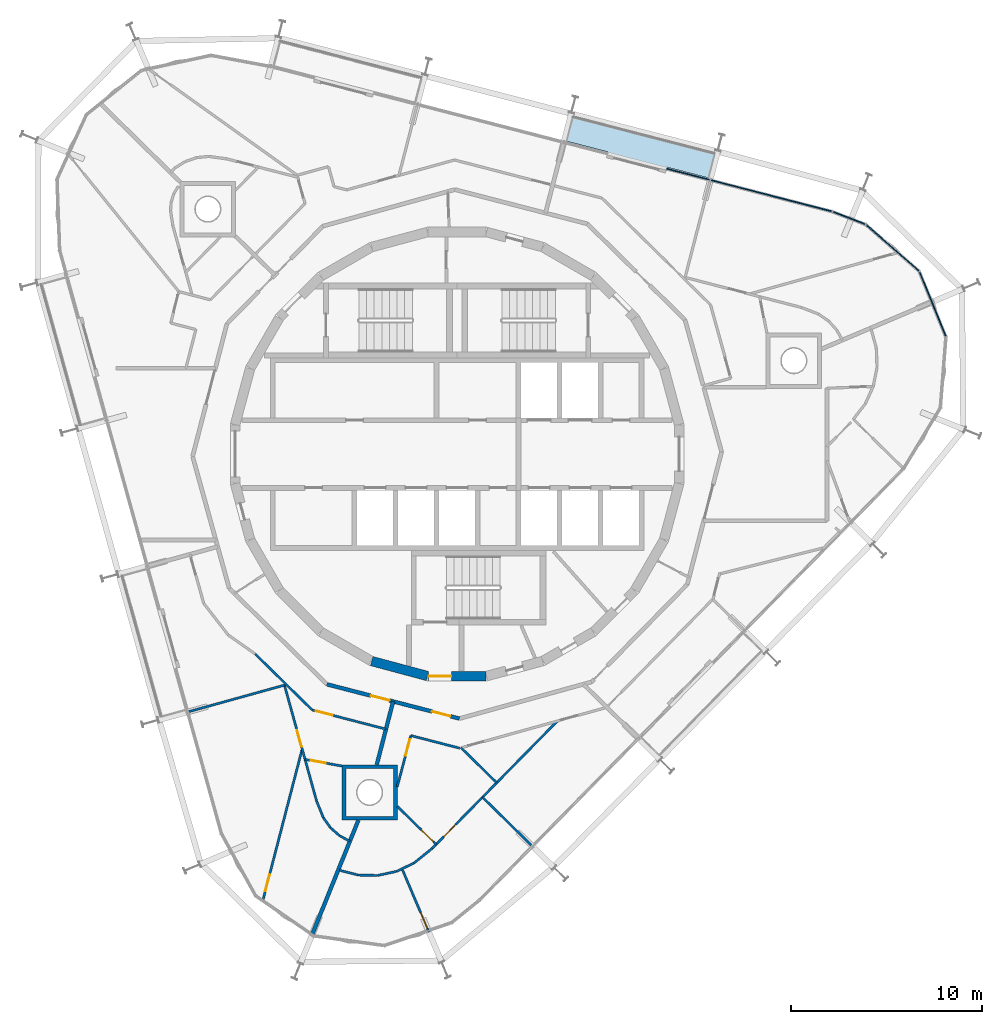
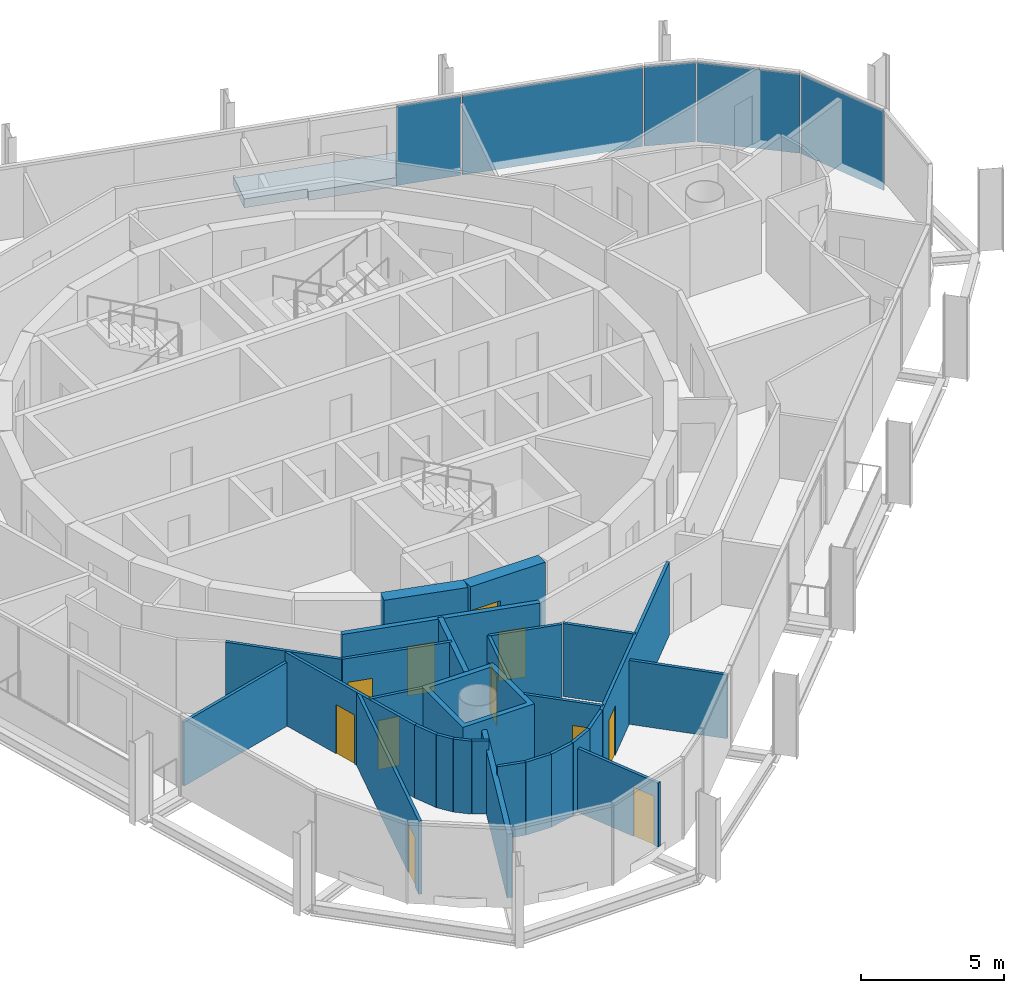
# One storey, part 9 of 16: 28 walls, 11 doors, 5 plates, 1 slab, 11 openings, 2 elements without a shape of their own.
"""IFC4 building model written with IfcOpenShell, lengths in metres."""

from ifc_helpers import new_model, si_unit, direction, frame, frame_2d, origin, origin_2d, place, context, subcontext, project, spatial, polyline, rectangle, outline, extrude, material, layer, layer_set, type_object, element, fill, aggregate, save


model = new_model("IFC4")

# Units and contexts
model_context = context("Model", 3, precision=1e-05, world=origin(), true_north=direction((0.0, 1.0)))
body_context = subcontext(model_context, "Body", "Model", "MODEL_VIEW")
ifc_project = project(units=[si_unit("LENGTHUNIT", "METRE"), si_unit("AREAUNIT", "SQUARE_METRE"), si_unit("VOLUMEUNIT", "CUBIC_METRE"), si_unit("PLANEANGLEUNIT", "RADIAN"), si_unit("MASSUNIT", "GRAM", prefix="KILO")], contexts=[model_context])

# Site, building, storey
site_placement = place(None, origin())
site = spatial("IfcSite", under=ifc_project, at=site_placement, CompositionType="ELEMENT")
building_placement = place(site_placement, origin())
building = spatial("IfcBuilding", under=site, at=building_placement, Name="Spindle Arch Residences", CompositionType="ELEMENT")
storey_placement = place(building_placement, frame((0.0, 0.0, 301.699951171875)))
storey = spatial("IfcBuildingStorey", under=building, at=storey_placement, Name="L77", CompositionType="ELEMENT", Elevation=301.699951171875)

# Slab
ifc_material_1 = material(Name="Concrete C40/50", Category="concrete")
ifc_layer_1 = layer(ifc_material_1, 0.3798828125)
ifc_layer_set_1 = layer_set([ifc_layer_1], Name="Balcony slab 380")
slab_type = type_object("IfcSlabType", Name="Balcony slab 380", PredefinedType="FLOOR", material=ifc_layer_set_1)
slab_placement = place(storey_placement, frame((0.0, 0.0, -0.3798828125)))
element("IfcSlab", 1, at=slab_placement, inside=storey, type_object=slab_type, Name="Balcony L77 bay 6", PredefinedType="FLOOR", context=body_context, shape_type="SweptSolid", body=[
    extrude(outline(polyline([(13.600830078125, 15.916259765625), (13.5283203125, 15.93505859375), (13.49072265625, 15.789794921875), (6.098876953125, 17.701416015625), (6.136474609375, 17.8466796875), (6.063720703125, 17.865478515625), (5.690673828125, 16.4228515625), (7.91015625, 15.848876953125), (7.8701171875, 15.694091796875), (10.96826171875, 14.892822265625), (11.00830078125, 15.047607421875), (13.227783203125, 14.4736328125), (13.600830078125, 15.916259765625)])), origin(), (0.0, 0.0, 1.0), 0.3798828125),
])

# Curtain wall, plates
ifc_material_2 = material(Name="Aluminium bronze unitised frame with tinted glass", Category="aluminium")
ifc_layer_2 = layer(ifc_material_2, 0.159912109375)
ifc_layer_set_2 = layer_set([ifc_layer_2], Name="CW-D corner wall on the fillet arcs")
curtain_wall_type_1 = type_object("IfcCurtainWallType", Name="CW-D corner wall on the fillet arcs", PredefinedType="NOTDEFINED", material=ifc_layer_set_2)
curtain_wall_1_placement = place(storey_placement, origin())
curtain_wall_1 = element("IfcCurtainWall", 2, at=curtain_wall_1_placement, inside=storey, type_object=curtain_wall_type_1, Name="CW-D L77 run 1", PredefinedType="NOTDEFINED")
ifc_material_3 = material(Name="Tinted double glazing over aluminium faced non-combustible spandrel zone (K0)", Category="aluminium")
ifc_layer_3 = layer(ifc_material_3, 0.06005859375)
ifc_layer_set_3 = layer_set([ifc_layer_3], Name="Unitised glass panel with E 60 spandrel zone")
plate_type = type_object("IfcPlateType", Name="Unitised glass panel with E 60 spandrel zone", PredefinedType="CURTAIN_PANEL", material=ifc_layer_set_3)
plate_1_placement = place(storey_placement, frame((24.94384765625, 7.86474609375, -0.3798828125), z_axis=(0.0, 0.0, 1.0), x_axis=(-0.377302072189, 0.926090247396, 0.0)))
plate_1 = element("IfcPlate", 3, at=plate_1_placement, type_object=plate_type, Name="CW-D unit 03", PredefinedType="CURTAIN_PANEL", context=body_context, shape_type="SweptSolid", body=[
    extrude(rectangle(XDim=3.666748046875, YDim=0.06005859375, at=origin_2d()), origin(), (0.0, 0.0, 1.0), 3.3798828125),
])
plate_2_placement = place(storey_placement, frame((22.837890625, 10.81689453125, -0.3798828125), z_axis=(0.0, 0.0, 1.0), x_axis=(-0.752797991635, 0.658251611308, 0.0)))
plate_2 = element("IfcPlate", 4, at=plate_2_placement, type_object=plate_type, Name="CW-D unit 04", PredefinedType="CURTAIN_PANEL", context=body_context, shape_type="SweptSolid", body=[
    extrude(rectangle(XDim=3.666748046875, YDim=0.06005859375, at=origin_2d()), origin(), (0.0, 0.0, 1.0), 3.3798828125),
])
plate_3_placement = place(storey_placement, frame((20.560546875, 12.38232421875, -0.3798828125), z_axis=(0.0, 0.0, 1.0), x_axis=(-0.932534030225, 0.361082099353, 0.0)))
plate_3 = element("IfcPlate", 5, at=plate_3_placement, type_object=plate_type, Name="CW-D unit 05", PredefinedType="CURTAIN_PANEL", context=body_context, shape_type="SweptSolid", body=[
    extrude(rectangle(XDim=1.816162109375, YDim=0.06005859375, at=origin_2d()), origin(), (0.0, 0.0, 1.0), 3.3798828125),
])
plate_4_placement = place(storey_placement, frame((16.483154296875, 13.549072265625, -0.3798828125), z_axis=(0.0, 0.0, 1.0), x_axis=(-0.968147640378, 0.250380004054, 0.0)))
plate_4 = element("IfcPlate", 6, at=plate_4_placement, type_object=plate_type, Name="CW-D unit 06", PredefinedType="CURTAIN_PANEL", context=body_context, shape_type="SweptSolid", body=[
    extrude(rectangle(XDim=6.555908203125, YDim=0.06005859375, at=origin_2d()), origin(), (0.0, 0.0, 1.0), 3.3798828125),
])
aggregate(curtain_wall_1, [plate_1, plate_2, plate_3, plate_4])

# Curtain wall, plate
ifc_material_4 = material(Name="Aluminium bronze unitised frame with tinted glass", Category="aluminium")
ifc_layer_4 = layer(ifc_material_4, 0.159912109375)
ifc_layer_set_4 = layer_set([ifc_layer_4], Name="CW-C typical residential unitised wall")
curtain_wall_type_2 = type_object("IfcCurtainWallType", Name="CW-C typical residential unitised wall", PredefinedType="NOTDEFINED", material=ifc_layer_set_4)
curtain_wall_2_placement = place(storey_placement, origin())
curtain_wall_2 = element("IfcCurtainWall", 7, at=curtain_wall_2_placement, inside=storey, type_object=curtain_wall_type_2, Name="CW-C L77 run 2", PredefinedType="NOTDEFINED")
plate_5_placement = place(storey_placement, frame((12.119873046875, 14.677490234375, -0.3798828125), z_axis=(0.0, 0.0, 1.0), x_axis=(-0.968147640378, 0.250380004054, 0.0)))
plate_5 = element("IfcPlate", 8, at=plate_5_placement, type_object=plate_type, Name="CW-C unit 05L", PredefinedType="CURTAIN_PANEL", context=body_context, shape_type="SweptSolid", body=[
    extrude(rectangle(XDim=2.337646484375, YDim=0.06005859375, at=origin_2d()), origin(), (0.0, 0.0, 1.0), 3.3798828125),
])
aggregate(curtain_wall_2, [plate_5])

# Wall
ifc_material_5 = material(Name="Concrete C50/60", Category="concrete")
ifc_layer_5 = layer(ifc_material_5, 0.5)
ifc_layer_set_5 = layer_set([ifc_layer_5], Name="Core outline wall 500")
wall_type_1 = type_object("IfcWallType", Name="Core outline wall 500", PredefinedType="SHEAR", material=ifc_layer_set_5)
wall_1_placement = place(storey_placement, frame((-4.479248046875, -10.858154296875, 0.0), z_axis=(0.0, 0.0, 1.0), x_axis=(0.965948410781, -0.258734743916, 0.0)))
element("IfcWall", 9, at=wall_1_placement, inside=storey, type_object=wall_type_1, Name="Core outline wall 23", PredefinedType="SHEAR", context=body_context, shape_type="SweptSolid", body=[
    extrude(rectangle(XDim=3.03271484375, YDim=0.5, at=frame_2d((1.516357421875, 0.0))), origin(), (0.0, 0.0, 1.0), 3.1201171875),
])

# Wall, opening, door
wall_2_placement = place(storey_placement, frame((-1.516357421875, -11.647216796875, 0.0), z_axis=(0.0, 0.0, 1.0), x_axis=(1.0, 0.0, 0.0)))
wall_2 = element("IfcWall", 10, at=wall_2_placement, inside=storey, type_object=wall_type_1, Name="Core outline wall 24", PredefinedType="SHEAR", context=body_context, shape_type="SweptSolid", body=[
    extrude(rectangle(XDim=3.03271484375, YDim=0.5, at=frame_2d((1.516357421875, 0.0))), origin(), (0.0, 0.0, 1.0), 3.1201171875),
])
opening_1_placement = place(wall_2_placement, frame((0.016357421875, 0.0, 0.0)))
opening_1 = element("IfcOpeningElement", 11, at=opening_1_placement, cuts=wall_2, Name="Opening R8A1-AD03", PredefinedType="OPENING", context=body_context, shape_type="SweptSolid", body=[
    extrude(rectangle(XDim=1.199951171875, YDim=2.10009765625, at=frame_2d((0.60009765625, 1.050048828125))), frame((0.0, 0.260009765625, 0.0), z_axis=(0.0, -1.0, 0.0), x_axis=(1.0, 0.0, 0.0)), (0.0, 0.0, 1.0), 0.52001953125),
])
ifc_material_6 = material(Name="Steel, fire-resisting door", Category="steel")
door_type_1 = type_object("IfcDoorType", Name="Stair airlock door 1200x2100", OperationType="SINGLE_SWING_LEFT", PredefinedType="DOOR", material=ifc_material_6)
door_1_placement = place(opening_1_placement, origin())
door_1 = element("IfcDoor", 12, at=door_1_placement, inside=storey, type_object=door_type_1, Name="Stair airlock door R8A1-AD03", OperationType="SINGLE_SWING_RIGHT", OverallHeight=2.10009765625, OverallWidth=1.199951171875, PredefinedType="DOOR", context=body_context, shape_type="SweptSolid", body=[
    extrude(rectangle(XDim=1.199951171875, YDim=2.10009765625, at=frame_2d((0.60009765625, 1.050048828125))), frame((0.0, 0.02490234375, 0.0), z_axis=(0.0, -1.0, 0.0), x_axis=(1.0, 0.0, 0.0)), (0.0, 0.0, 1.0), 0.050048828125),
])
fill(opening_1, door_1)

# Wall, openings, doors
ifc_material_7 = material(Name="Calcium silicate block, plastered")
ifc_layer_6 = layer(ifc_material_7, 0.199951171875)
ifc_layer_set_6 = layer_set([ifc_layer_6], Name="Corridor wall 200")
wall_type_2 = type_object("IfcWallType", Name="Corridor wall 200", PredefinedType="STANDARD", material=ifc_layer_set_6)
wall_3_placement = place(storey_placement, frame((-6.831298828125, -12.07421875, 0.0), z_axis=(0.0, 0.0, 1.0), x_axis=(0.968144780225, -0.250391063186, 0.0)))
wall_3 = element("IfcWall", 13, at=wall_3_placement, inside=storey, type_object=wall_type_2, Name="Corridor wall R8A1-W014", PredefinedType="STANDARD", context=body_context, shape_type="SweptSolid", body=[
    extrude(rectangle(XDim=7.18115234375, YDim=0.199951171875, at=frame_2d((3.590576171875, 0.0))), origin(), (0.0, 0.0, 1.0), 3.1201171875),
])
opening_2_placement = place(wall_3_placement, frame((2.390380859375, 0.0, 0.0)))
opening_2 = element("IfcOpeningElement", 14, at=opening_2_placement, cuts=wall_3, Name="Opening R8A1-FD04", PredefinedType="OPENING", context=body_context, shape_type="SweptSolid", body=[
    extrude(rectangle(XDim=1.0, YDim=2.10009765625, at=frame_2d((0.5, 1.050048828125))), frame((0.0, 0.10986328125, 0.0), z_axis=(0.0, -1.0, 0.0), x_axis=(1.0, 0.0, 0.0)), (0.0, 0.0, 1.0), 0.219970703125),
])
opening_3_placement = place(wall_3_placement, frame((5.6904296875, 0.0, 0.0)))
opening_3 = element("IfcOpeningElement", 15, at=opening_3_placement, cuts=wall_3, Name="Opening R8A1-FD05", PredefinedType="OPENING", context=body_context, shape_type="SweptSolid", body=[
    extrude(rectangle(XDim=1.0, YDim=2.10009765625, at=frame_2d((0.5, 1.050048828125))), frame((0.0, 0.10986328125, 0.0), z_axis=(0.0, -1.0, 0.0), x_axis=(1.0, 0.0, 0.0)), (0.0, 0.0, 1.0), 0.219970703125),
])
ifc_material_8 = material(Name="Timber, fire-resisting door set", Category="wood")
door_type_2 = type_object("IfcDoorType", Name="Flat entrance door 1000x2100", OperationType="NOTDEFINED", PredefinedType="DOOR", material=ifc_material_8)
door_2_placement = place(opening_2_placement, origin())
door_2 = element("IfcDoor", 16, at=door_2_placement, inside=storey, type_object=door_type_2, Name="Flat entrance door R8A1-FD04", OperationType="SINGLE_SWING_RIGHT", OverallHeight=2.10009765625, OverallWidth=1.0, PredefinedType="DOOR", context=body_context, shape_type="SweptSolid", body=[
    extrude(rectangle(XDim=1.0, YDim=2.10009765625, at=frame_2d((0.5, 1.050048828125))), frame((0.0, 0.02490234375, 0.0), z_axis=(0.0, -1.0, 0.0), x_axis=(1.0, 0.0, 0.0)), (0.0, 0.0, 1.0), 0.050048828125),
])
fill(opening_2, door_2)
door_3_placement = place(opening_3_placement, origin())
door_3 = element("IfcDoor", 17, at=door_3_placement, inside=storey, type_object=door_type_2, Name="Flat entrance door R8A1-FD05", OperationType="SINGLE_SWING_LEFT", OverallHeight=2.10009765625, OverallWidth=1.0, PredefinedType="DOOR", context=body_context, shape_type="SweptSolid", body=[
    extrude(rectangle(XDim=1.0, YDim=2.10009765625, at=frame_2d((0.5, 1.050048828125))), frame((0.0, 0.02490234375, 0.0), z_axis=(0.0, -1.0, 0.0), x_axis=(1.0, 0.0, 0.0)), (0.0, 0.0, 1.0), 0.050048828125),
])
fill(opening_3, door_3)

# Wall
ifc_material_9 = material(Name="Plasterboard on steel studs", Category="steel")
ifc_layer_7 = layer(ifc_material_9, 0.1201171875)
ifc_layer_set_7 = layer_set([ifc_layer_7], Name="Flat partition 120")
wall_type_3 = type_object("IfcWallType", Name="Flat partition 120", PredefinedType="PARTITIONING", material=ifc_layer_set_7)
wall_4_placement = place(storey_placement, frame((-10.59033203125, -10.483154296875, 0.0), z_axis=(0.0, 0.0, 1.0), x_axis=(0.713244109461, -0.70091571556, 0.0)))
element("IfcWall", 18, at=wall_4_placement, inside=storey, type_object=wall_type_3, Name="Flat partition R8A1-W073", PredefinedType="PARTITIONING", context=body_context, shape_type="SweptSolid", body=[
    extrude(rectangle(XDim=4.1982421875, YDim=0.1201171875, at=frame_2d((2.09912109375, 0.0))), origin(), (0.0, 0.0, 1.0), 3.1201171875),
])

# Wall, opening, door
wall_5_placement = place(storey_placement, frame((-7.595947265625, -13.42578125, 0.0), z_axis=(0.0, 0.0, 1.0), x_axis=(0.96815406745, -0.250355151095, 0.0)))
wall_5 = element("IfcWall", 19, at=wall_5_placement, inside=storey, type_object=wall_type_3, Name="Flat partition R8A1-W074", PredefinedType="PARTITIONING", context=body_context, shape_type="SweptSolid", body=[
    extrude(rectangle(XDim=3.992431640625, YDim=0.1201171875, at=frame_2d((1.99609375, 0.0))), origin(), (0.0, 0.0, 1.0), 3.1201171875),
])
opening_4_placement = place(wall_5_placement, frame((0.199951171875, 0.0, 0.0)))
opening_4 = element("IfcOpeningElement", 20, at=opening_4_placement, cuts=wall_5, Name="Opening R8A1-ID13", PredefinedType="OPENING", context=body_context, shape_type="SweptSolid", body=[
    extrude(rectangle(XDim=0.89990234375, YDim=2.10009765625, at=frame_2d((0.449951171875, 1.050048828125))), frame((0.0, 0.070068359375, 0.0), z_axis=(0.0, -1.0, 0.0), x_axis=(1.0, 0.0, 0.0)), (0.0, 0.0, 1.0), 0.14013671875),
])
ifc_material_10 = material(Name="Timber door set", Category="wood")
door_type_3 = type_object("IfcDoorType", Name="Room door 900x2100", OperationType="NOTDEFINED", PredefinedType="DOOR", material=ifc_material_10)
door_4_placement = place(opening_4_placement, origin())
door_4 = element("IfcDoor", 21, at=door_4_placement, inside=storey, type_object=door_type_3, Name="Room door R8A1-ID13", OperationType="SINGLE_SWING_RIGHT", OverallHeight=2.10009765625, OverallWidth=0.89990234375, PredefinedType="DOOR", context=body_context, shape_type="SweptSolid", body=[
    extrude(rectangle(XDim=0.89990234375, YDim=2.10009765625, at=frame_2d((0.449951171875, 1.050048828125))), frame((0.0, 0.02490234375, 0.0), z_axis=(0.0, -1.0, 0.0), x_axis=(1.0, 0.0, 0.0)), (0.0, 0.0, 1.0), 0.050048828125),
])
fill(opening_4, door_4)

wall_6_placement = place(storey_placement, frame((-7.368408203125, -18.201904296875, 0.0), z_axis=(0.0, 0.0, 1.0), x_axis=(-0.26723158658, 0.963632336077, 0.0)))
wall_6 = element("IfcWall", 22, at=wall_6_placement, inside=storey, type_object=wall_type_3, Name="Flat partition R8A1-W076", PredefinedType="PARTITIONING", context=body_context, shape_type="SweptSolid", body=[
    extrude(rectangle(XDim=6.35302734375, YDim=0.1201171875, at=frame_2d((3.176513671875, 0.0))), origin(), (0.0, 0.0, 1.0), 3.1201171875),
])
opening_5_placement = place(wall_6_placement, frame((2.9560546875, 0.0, 0.0)))
opening_5 = element("IfcOpeningElement", 23, at=opening_5_placement, cuts=wall_6, Name="Opening R8A1-ID14", PredefinedType="OPENING", context=body_context, shape_type="SweptSolid", body=[
    extrude(rectangle(XDim=0.89990234375, YDim=2.10009765625, at=frame_2d((0.449951171875, 1.050048828125))), frame((0.0, 0.070068359375, 0.0), z_axis=(0.0, -1.0, 0.0), x_axis=(1.0, 0.0, 0.0)), (0.0, 0.0, 1.0), 0.14013671875),
])
door_5_placement = place(opening_5_placement, origin())
door_5 = element("IfcDoor", 24, at=door_5_placement, inside=storey, type_object=door_type_3, Name="Room door R8A1-ID14", OperationType="SINGLE_SWING_RIGHT", OverallHeight=2.10009765625, OverallWidth=0.89990234375, PredefinedType="DOOR", context=body_context, shape_type="SweptSolid", body=[
    extrude(rectangle(XDim=0.89990234375, YDim=2.10009765625, at=frame_2d((0.449951171875, 1.050048828125))), frame((0.0, 0.02490234375, 0.0), z_axis=(0.0, -1.0, 0.0), x_axis=(1.0, 0.0, 0.0)), (0.0, 0.0, 1.0), 0.050048828125),
])
fill(opening_5, door_5)

wall_7_placement = place(storey_placement, frame((-10.18603515625, -23.406494140625, 0.0), z_axis=(0.0, 0.0, 1.0), x_axis=(0.251184292323, 0.967939280787, 0.0)))
wall_7 = element("IfcWall", 25, at=wall_7_placement, inside=storey, type_object=wall_type_3, Name="Flat partition R8A1-W077", PredefinedType="PARTITIONING", context=body_context, shape_type="SweptSolid", body=[
    extrude(rectangle(XDim=8.200439453125, YDim=0.1201171875, at=frame_2d((4.10009765625, 0.0))), origin(), (0.0, 0.0, 1.0), 3.1201171875),
])
opening_6_placement = place(wall_7_placement, frame((0.5, 0.0, 0.0)))
opening_6 = element("IfcOpeningElement", 26, at=opening_6_placement, cuts=wall_7, Name="Opening R8A1-ID15", PredefinedType="OPENING", context=body_context, shape_type="SweptSolid", body=[
    extrude(rectangle(XDim=0.89990234375, YDim=2.10009765625, at=frame_2d((0.449951171875, 1.050048828125))), frame((0.0, 0.070068359375, 0.0), z_axis=(0.0, -1.0, 0.0), x_axis=(1.0, 0.0, 0.0)), (0.0, 0.0, 1.0), 0.14013671875),
])
door_6_placement = place(opening_6_placement, origin())
door_6 = element("IfcDoor", 27, at=door_6_placement, inside=storey, type_object=door_type_3, Name="Room door R8A1-ID15", OperationType="SINGLE_SWING_RIGHT", OverallHeight=2.10009765625, OverallWidth=0.89990234375, PredefinedType="DOOR", context=body_context, shape_type="SweptSolid", body=[
    extrude(rectangle(XDim=0.89990234375, YDim=2.10009765625, at=frame_2d((0.449951171875, 1.050048828125))), frame((0.0, 0.02490234375, 0.0), z_axis=(0.0, -1.0, 0.0), x_axis=(1.0, 0.0, 0.0)), (0.0, 0.0, 1.0), 0.050048828125),
])
fill(opening_6, door_6)

wall_8_placement = place(storey_placement, frame((-7.974853515625, -16.014892578125, 0.0), z_axis=(0.0, 0.0, 1.0), x_axis=(0.984356897167, -0.176185978441, 0.0)))
wall_8 = element("IfcWall", 28, at=wall_8_placement, inside=storey, type_object=wall_type_3, Name="Flat partition R8A1-W078", PredefinedType="PARTITIONING", context=body_context, shape_type="SweptSolid", body=[
    extrude(rectangle(XDim=1.96630859375, YDim=0.1201171875, at=frame_2d((0.983154296875, 0.0))), origin(), (0.0, 0.0, 1.0), 3.1201171875),
])
opening_7_placement = place(wall_8_placement, frame((0.300048828125, 0.0, 0.0)))
opening_7 = element("IfcOpeningElement", 29, at=opening_7_placement, cuts=wall_8, Name="Opening R8A1-BD04", PredefinedType="OPENING", context=body_context, shape_type="SweptSolid", body=[
    extrude(rectangle(XDim=0.800048828125, YDim=2.10009765625, at=frame_2d((0.39990234375, 1.050048828125))), frame((0.0, 0.070068359375, 0.0), z_axis=(0.0, -1.0, 0.0), x_axis=(1.0, 0.0, 0.0)), (0.0, 0.0, 1.0), 0.14013671875),
])
ifc_material_11 = material(Name="Timber door set", Category="wood")
door_type_4 = type_object("IfcDoorType", Name="Bathroom door 800x2100", OperationType="NOTDEFINED", PredefinedType="DOOR", material=ifc_material_11)
door_7_placement = place(opening_7_placement, origin())
door_7 = element("IfcDoor", 30, at=door_7_placement, inside=storey, type_object=door_type_4, Name="Bathroom door R8A1-BD04", OperationType="SINGLE_SWING_RIGHT", OverallHeight=2.10009765625, OverallWidth=0.800048828125, PredefinedType="DOOR", context=body_context, shape_type="SweptSolid", body=[
    extrude(rectangle(XDim=0.800048828125, YDim=2.10009765625, at=frame_2d((0.39990234375, 1.050048828125))), frame((0.0, 0.02490234375, 0.0), z_axis=(0.0, -1.0, 0.0), x_axis=(1.0, 0.0, 0.0)), (0.0, 0.0, 1.0), 0.050048828125),
])
fill(opening_7, door_7)

# Walls
wall_9_placement = place(storey_placement, frame((-5.623291015625, -20.3046875, 0.0), z_axis=(0.0, 0.0, 1.0), x_axis=(-0.884133271246, 0.467234800369, 0.0)))
element("IfcWall", 31, at=wall_9_placement, inside=storey, type_object=wall_type_3, Name="Flat partition R8A1-W079", PredefinedType="PARTITIONING", context=body_context, shape_type="SweptSolid", body=[
    extrude(rectangle(XDim=0.601318359375, YDim=0.1201171875, at=frame_2d((0.30078125, 0.0))), origin(), (0.0, 0.0, 1.0), 3.1201171875),
])
wall_10_placement = place(storey_placement, frame((-6.155029296875, -20.023681640625, 0.0), z_axis=(0.0, 0.0, 1.0), x_axis=(-0.753047703781, 0.657965923001, 0.0)))
element("IfcWall", 32, at=wall_10_placement, inside=storey, type_object=wall_type_3, Name="Flat partition R8A1-W080", PredefinedType="PARTITIONING", context=body_context, shape_type="SweptSolid", body=[
    extrude(rectangle(XDim=0.641845703125, YDim=0.1201171875, at=frame_2d((0.32080078125, 0.0))), origin(), (0.0, 0.0, 1.0), 3.1201171875),
])
wall_11_placement = place(storey_placement, frame((-6.638427734375, -19.601318359375, 0.0), z_axis=(0.0, 0.0, 1.0), x_axis=(-0.580662514246, 0.814144363458, 0.0)))
element("IfcWall", 33, at=wall_11_placement, inside=storey, type_object=wall_type_3, Name="Flat partition R8A1-W081", PredefinedType="PARTITIONING", context=body_context, shape_type="SweptSolid", body=[
    extrude(rectangle(XDim=0.64208984375, YDim=0.1201171875, at=frame_2d((0.321044921875, 0.0))), origin(), (0.0, 0.0, 1.0), 3.1201171875),
])
wall_12_placement = place(storey_placement, frame((-7.01123046875, -19.07861328125, 0.0), z_axis=(0.0, 0.0, 1.0), x_axis=(-0.377296887314, 0.92609235977, 0.0)))
element("IfcWall", 34, at=wall_12_placement, inside=storey, type_object=wall_type_3, Name="Flat partition R8A1-W082", PredefinedType="PARTITIONING", context=body_context, shape_type="SweptSolid", body=[
    extrude(rectangle(XDim=0.94677734375, YDim=0.1201171875, at=frame_2d((0.473388671875, 0.0))), origin(), (0.0, 0.0, 1.0), 3.1201171875),
])

# Wall, opening, door
wall_13_placement = place(storey_placement, frame((-3.139404296875, -17.447509765625, 0.0), z_axis=(0.0, 0.0, 1.0), x_axis=(0.256551998295, 0.966530430028, 0.0)))
wall_13 = element("IfcWall", 35, at=wall_13_placement, inside=storey, type_object=wall_type_3, Name="Flat partition R8A1-W083", PredefinedType="PARTITIONING", context=body_context, shape_type="SweptSolid", body=[
    extrude(rectangle(XDim=2.77783203125, YDim=0.1201171875, at=frame_2d((1.388916015625, 0.0))), origin(), (0.0, 0.0, 1.0), 3.1201171875),
])
opening_8_placement = place(wall_13_placement, frame((1.677978515625, 0.0, 0.0)))
opening_8 = element("IfcOpeningElement", 36, at=opening_8_placement, cuts=wall_13, Name="Opening R8A1-ID16", PredefinedType="OPENING", context=body_context, shape_type="SweptSolid", body=[
    extrude(rectangle(XDim=0.89990234375, YDim=2.10009765625, at=frame_2d((0.449951171875, 1.050048828125))), frame((0.0, 0.070068359375, 0.0), z_axis=(0.0, -1.0, 0.0), x_axis=(1.0, 0.0, 0.0)), (0.0, 0.0, 1.0), 0.14013671875),
])
door_8_placement = place(opening_8_placement, origin())
door_8 = element("IfcDoor", 37, at=door_8_placement, inside=storey, type_object=door_type_3, Name="Room door R8A1-ID16", OperationType="SINGLE_SWING_LEFT", OverallHeight=2.10009765625, OverallWidth=0.89990234375, PredefinedType="DOOR", context=body_context, shape_type="SweptSolid", body=[
    extrude(rectangle(XDim=0.89990234375, YDim=2.10009765625, at=frame_2d((0.449951171875, 1.050048828125))), frame((0.0, 0.02490234375, 0.0), z_axis=(0.0, -1.0, 0.0), x_axis=(1.0, 0.0, 0.0)), (0.0, 0.0, 1.0), 0.050048828125),
])
fill(opening_8, door_8)

# Walls
wall_14_placement = place(storey_placement, frame((-2.4267578125, -14.7626953125, 0.0), z_axis=(0.0, 0.0, 1.0), x_axis=(0.968151154118, -0.250366417036, 0.0)))
element("IfcWall", 38, at=wall_14_placement, inside=storey, type_object=wall_type_3, Name="Flat partition R8A1-W084", PredefinedType="PARTITIONING", context=body_context, shape_type="SweptSolid", body=[
    extrude(rectangle(XDim=2.6455078125, YDim=0.1201171875, at=frame_2d((1.32275390625, 0.0))), origin(), (0.0, 0.0, 1.0), 3.1201171875),
])
wall_15_placement = place(storey_placement, frame((-2.259765625, -21.44921875, 0.0), z_axis=(0.0, 0.0, 1.0), x_axis=(-0.90254047062, -0.430605038166, 0.0)))
element("IfcWall", 39, at=wall_15_placement, inside=storey, type_object=wall_type_3, Name="Flat partition R8A1-W086", PredefinedType="PARTITIONING", context=body_context, shape_type="SweptSolid", body=[
    extrude(rectangle(XDim=1.01611328125, YDim=0.1201171875, at=frame_2d((0.508056640625, 0.0))), origin(), (0.0, 0.0, 1.0), 3.1201171875),
])
for number, where, z_axis, x_axis, name in (
    (40, (-3.1767578125, -21.88671875, 0.0), (0.0, 0.0, 1.0), (-0.977541432368, -0.210743322563, 0.0), "Flat partition R8A1-W087"),
    (41, (-4.169921875, -22.100830078125, 0.0), (0.0, 0.0, 1.0), (-0.999791317883, 0.02042842837, 0.0), "Flat partition R8A1-W088"),
):
    element("IfcWall", number, at=place(storey_placement, frame(where, z_axis=z_axis, x_axis=x_axis)), inside=storey, type_object=wall_type_3, Name=name, PredefinedType="PARTITIONING", context=body_context, shape_type="SweptSolid", body=[
        extrude(rectangle(XDim=1.015869140625, YDim=0.1201171875, at=frame_2d((0.5078125, 0.0))), origin(), (0.0, 0.0, 1.0), 3.1201171875),
    ])
wall_16_placement = place(storey_placement, frame((-5.185546875, -22.080078125, 0.0), z_axis=(0.0, 0.0, 1.0), x_axis=(-0.968145907309, 0.250386705241, 0.0)))
element("IfcWall", 42, at=wall_16_placement, inside=storey, type_object=wall_type_3, Name="Flat partition R8A1-W089", PredefinedType="PARTITIONING", context=body_context, shape_type="SweptSolid", body=[
    extrude(rectangle(XDim=1.01611328125, YDim=0.1201171875, at=frame_2d((0.508056640625, 0.0))), origin(), (0.0, 0.0, 1.0), 3.1201171875),
])

# Wall, opening, door
wall_17_placement = place(storey_placement, frame((-1.101318359375, -20.4736328125, 0.0), z_axis=(0.0, 0.0, 1.0), x_axis=(-0.713316946232, 0.700841589961, 0.0)))
wall_17 = element("IfcWall", 43, at=wall_17_placement, inside=storey, type_object=wall_type_3, Name="Flat partition R8A1-W091", PredefinedType="PARTITIONING", context=body_context, shape_type="SweptSolid", body=[
    extrude(rectangle(XDim=2.857177734375, YDim=0.1201171875, at=frame_2d((1.4287109375, 0.0))), origin(), (0.0, 0.0, 1.0), 3.1201171875),
])
opening_9_placement = place(wall_17_placement, frame((0.199951171875, 0.0, 0.0)))
opening_9 = element("IfcOpeningElement", 44, at=opening_9_placement, cuts=wall_17, Name="Opening R8A1-ID18", PredefinedType="OPENING", context=body_context, shape_type="SweptSolid", body=[
    extrude(rectangle(XDim=0.89990234375, YDim=2.10009765625, at=frame_2d((0.449951171875, 1.050048828125))), frame((0.0, 0.070068359375, 0.0), z_axis=(0.0, -1.0, 0.0), x_axis=(1.0, 0.0, 0.0)), (0.0, 0.0, 1.0), 0.14013671875),
])
door_9_placement = place(opening_9_placement, origin())
door_9 = element("IfcDoor", 45, at=door_9_placement, inside=storey, type_object=door_type_3, Name="Room door R8A1-ID18", OperationType="SINGLE_SWING_LEFT", OverallHeight=2.10009765625, OverallWidth=0.89990234375, PredefinedType="DOOR", context=body_context, shape_type="SweptSolid", body=[
    extrude(rectangle(XDim=0.89990234375, YDim=2.10009765625, at=frame_2d((0.449951171875, 1.050048828125))), frame((0.0, 0.02490234375, 0.0), z_axis=(0.0, -1.0, 0.0), x_axis=(1.0, 0.0, 0.0)), (0.0, 0.0, 1.0), 0.050048828125),
])
fill(opening_9, door_9)

# Wall
wall_18_placement = place(storey_placement, frame((-2.259765625, -21.44921875, 0.0), z_axis=(0.0, 0.0, 1.0), x_axis=(0.779021167429, 0.626997624156, 0.0)))
element("IfcWall", 46, at=wall_18_placement, inside=storey, type_object=wall_type_3, Name="Flat partition R8A1-W092", PredefinedType="PARTITIONING", context=body_context, shape_type="SweptSolid", body=[
    extrude(rectangle(XDim=1.22705078125, YDim=0.1201171875, at=frame_2d((0.613525390625, 0.0))), origin(), (0.0, 0.0, 1.0), 3.1201171875),
])

# Wall, opening, door
wall_19_placement = place(storey_placement, frame((-1.303955078125, -20.679931640625, 0.0), z_axis=(0.0, 0.0, 1.0), x_axis=(0.700896976526, 0.713262524108, 0.0)))
wall_19 = element("IfcWall", 47, at=wall_19_placement, inside=storey, type_object=wall_type_3, Name="Flat partition R8A1-W093", PredefinedType="PARTITIONING", context=body_context, shape_type="SweptSolid", body=[
    extrude(rectangle(XDim=9.3583984375, YDim=0.1201171875, at=frame_2d((4.67919921875, 0.0))), origin(), (0.0, 0.0, 1.0), 3.1201171875),
])
opening_10_placement = place(wall_19_placement, frame((0.84912109375, 0.0, 0.0)))
opening_10 = element("IfcOpeningElement", 48, at=opening_10_placement, cuts=wall_19, Name="Opening R8A1-ID19", PredefinedType="OPENING", context=body_context, shape_type="SweptSolid", body=[
    extrude(rectangle(XDim=0.89990234375, YDim=2.10009765625, at=frame_2d((0.449951171875, 1.050048828125))), frame((0.0, 0.070068359375, 0.0), z_axis=(0.0, -1.0, 0.0), x_axis=(1.0, 0.0, 0.0)), (0.0, 0.0, 1.0), 0.14013671875),
])
door_10_placement = place(opening_10_placement, origin())
door_10 = element("IfcDoor", 49, at=door_10_placement, inside=storey, type_object=door_type_3, Name="Room door R8A1-ID19", OperationType="SINGLE_SWING_LEFT", OverallHeight=2.10009765625, OverallWidth=0.89990234375, PredefinedType="DOOR", context=body_context, shape_type="SweptSolid", body=[
    extrude(rectangle(XDim=0.89990234375, YDim=2.10009765625, at=frame_2d((0.449951171875, 1.050048828125))), frame((0.0, 0.02490234375, 0.0), z_axis=(0.0, -1.0, 0.0), x_axis=(1.0, 0.0, 0.0)), (0.0, 0.0, 1.0), 0.050048828125),
])
fill(opening_10, door_10)

# Walls
wall_20_placement = place(storey_placement, frame((2.076904296875, -17.2392578125, 0.0), z_axis=(0.0, 0.0, 1.0), x_axis=(-0.713235001716, 0.700924983381, 0.0)))
element("IfcWall", 50, at=wall_20_placement, inside=storey, type_object=wall_type_3, Name="Flat partition R8A1-W094", PredefinedType="PARTITIONING", context=body_context, shape_type="SweptSolid", body=[
    extrude(rectangle(XDim=2.617919921875, YDim=0.1201171875, at=frame_2d((1.30908203125, 0.0))), origin(), (0.0, 0.0, 1.0), 3.1201171875),
])
ifc_material_12 = material(Name="Plasterboard on steel studs", Category="steel")
ifc_layer_8 = layer(ifc_material_12, 0.1201171875)
ifc_layer_set_8 = layer_set([ifc_layer_8], Name="Flat partition 120 under beam 2730")
wall_type_4 = type_object("IfcWallType", Name="Flat partition 120 under beam 2730", PredefinedType="PARTITIONING", material=ifc_layer_set_8)
wall_21_placement = place(storey_placement, frame((-14.06640625, -13.5078125, 0.0), z_axis=(0.0, 0.0, 1.0), x_axis=(0.963643585504, 0.267191018032, 0.0)))
element("IfcWall", 51, at=wall_21_placement, inside=storey, type_object=wall_type_4, Name="Flat partition R8A1-W075", PredefinedType="PARTITIONING", context=body_context, shape_type="SweptSolid", body=[
    extrude(rectangle(XDim=5.199951171875, YDim=0.1201171875, at=frame_2d((2.60009765625, 0.0))), origin(), (0.0, 0.0, 1.0), 2.72998046875),
])

# Wall, opening, door
wall_22_placement = place(storey_placement, frame((-1.47998046875, -25.06591796875, 0.0), z_axis=(0.0, 0.0, 1.0), x_axis=(-0.3909326022, 0.920419306912, 0.0)))
wall_22 = element("IfcWall", 52, at=wall_22_placement, inside=storey, type_object=wall_type_4, Name="Flat partition R8A1-W090", PredefinedType="PARTITIONING", context=body_context, shape_type="SweptSolid", body=[
    extrude(rectangle(XDim=3.603515625, YDim=0.1201171875, at=frame_2d((1.8017578125, 0.0))), origin(), (0.0, 0.0, 1.0), 2.72998046875),
])
opening_11_placement = place(wall_22_placement, frame((0.199951171875, 0.0, 0.0)))
opening_11 = element("IfcOpeningElement", 53, at=opening_11_placement, cuts=wall_22, Name="Opening R8A1-ID20", PredefinedType="OPENING", context=body_context, shape_type="SweptSolid", body=[
    extrude(rectangle(XDim=0.89990234375, YDim=2.10009765625, at=frame_2d((0.449951171875, 1.050048828125))), frame((0.0, 0.070068359375, 0.0), z_axis=(0.0, -1.0, 0.0), x_axis=(1.0, 0.0, 0.0)), (0.0, 0.0, 1.0), 0.14013671875),
])
door_11_placement = place(opening_11_placement, origin())
door_11 = element("IfcDoor", 54, at=door_11_placement, inside=storey, type_object=door_type_3, Name="Room door R8A1-ID20", OperationType="SINGLE_SWING_LEFT", OverallHeight=2.10009765625, OverallWidth=0.89990234375, PredefinedType="DOOR", context=body_context, shape_type="SweptSolid", body=[
    extrude(rectangle(XDim=0.89990234375, YDim=2.10009765625, at=frame_2d((0.449951171875, 1.050048828125))), frame((0.0, 0.02490234375, 0.0), z_axis=(0.0, -1.0, 0.0), x_axis=(1.0, 0.0, 0.0)), (0.0, 0.0, 1.0), 0.050048828125),
])
fill(opening_11, door_11)

# Walls
wall_23_placement = place(storey_placement, frame((3.89990234375, -20.5205078125, 0.0), z_axis=(0.0, 0.0, 1.0), x_axis=(-0.713217465002, 0.700942827637, 0.0)))
element("IfcWall", 55, at=wall_23_placement, inside=storey, type_object=wall_type_4, Name="Flat partition R8A1-W095", PredefinedType="PARTITIONING", context=body_context, shape_type="SweptSolid", body=[
    extrude(rectangle(XDim=3.60009765625, YDim=0.1201171875, at=frame_2d((1.800048828125, 0.0))), origin(), (0.0, 0.0, 1.0), 2.72998046875),
])
ifc_material_13 = material(Name="Calcium silicate block, plastered")
ifc_layer_9 = layer(ifc_material_13, 0.199951171875)
ifc_layer_set_9 = layer_set([ifc_layer_9], Name="Flat party wall 200")
wall_type_5 = type_object("IfcWallType", Name="Flat party wall 200", PredefinedType="STANDARD", material=ifc_layer_set_9)
wall_24_placement = place(storey_placement, frame((-4.21435546875, -16.29541015625, 0.0), z_axis=(0.0, 0.0, 1.0), x_axis=(0.250428810918, 0.968135016752, 0.0)))
element("IfcWall", 56, at=wall_24_placement, inside=storey, type_object=wall_type_5, Name="Flat party wall R8A1-W029", PredefinedType="STANDARD", context=body_context, shape_type="SweptSolid", body=[
    extrude(rectangle(XDim=3.431640625, YDim=0.199951171875, at=frame_2d((1.7158203125, 0.0))), origin(), (0.0, 0.0, 1.0), 3.1201171875),
])
ifc_material_14 = material(Name="Calcium silicate block, plastered")
ifc_layer_10 = layer(ifc_material_14, 0.199951171875)
ifc_layer_set_10 = layer_set([ifc_layer_10], Name="Flat party wall 200 under beam 2730")
wall_type_6 = type_object("IfcWallType", Name="Flat party wall 200 under beam 2730", PredefinedType="STANDARD", material=ifc_layer_set_10)
wall_25_placement = place(storey_placement, frame((-7.581787109375, -25.15087890625, 0.0), z_axis=(0.0, 0.0, 1.0), x_axis=(0.374645287615, 0.927168220156, 0.0)))
element("IfcWall", 57, at=wall_25_placement, inside=storey, type_object=wall_type_6, Name="Flat party wall R8A1-W030", PredefinedType="STANDARD", context=body_context, shape_type="SweptSolid", body=[
    extrude(rectangle(XDim=6.42333984375, YDim=0.199951171875, at=frame_2d((3.211669921875, 0.0))), origin(), (0.0, 0.0, 1.0), 2.72998046875),
])
ifc_material_15 = material(Name="Calcium silicate block, plastered")
ifc_layer_11 = layer(ifc_material_15, 0.199951171875)
ifc_layer_set_11 = layer_set([ifc_layer_11], Name="Mega-column casing wall 200")
wall_type_7 = type_object("IfcWallType", Name="Mega-column casing wall 200", PredefinedType="STANDARD", material=ifc_layer_set_11)
wall_26_placement = place(storey_placement, origin())
element("IfcWall", 58, at=wall_26_placement, inside=storey, type_object=wall_type_7, Name="Mega-column casing wall R8A1-WC03", PredefinedType="STANDARD", context=body_context, shape_type="SweptSolid", body=[
    extrude(outline(polyline([(-3.139404296875, -16.29541015625), (-3.139404296875, -19.1953125), (-6.039306640625, -19.1953125), (-6.039306640625, -16.29541015625), (-3.139404296875, -16.29541015625)]), holes=[polyline([(-5.83935546875, -18.995361328125), (-3.33935546875, -18.995361328125), (-3.33935546875, -16.495361328125), (-5.83935546875, -16.495361328125), (-5.83935546875, -18.995361328125)])]), origin(), (0.0, 0.0, 1.0), 3.1201171875),
])

save(model, "model.ifc")
